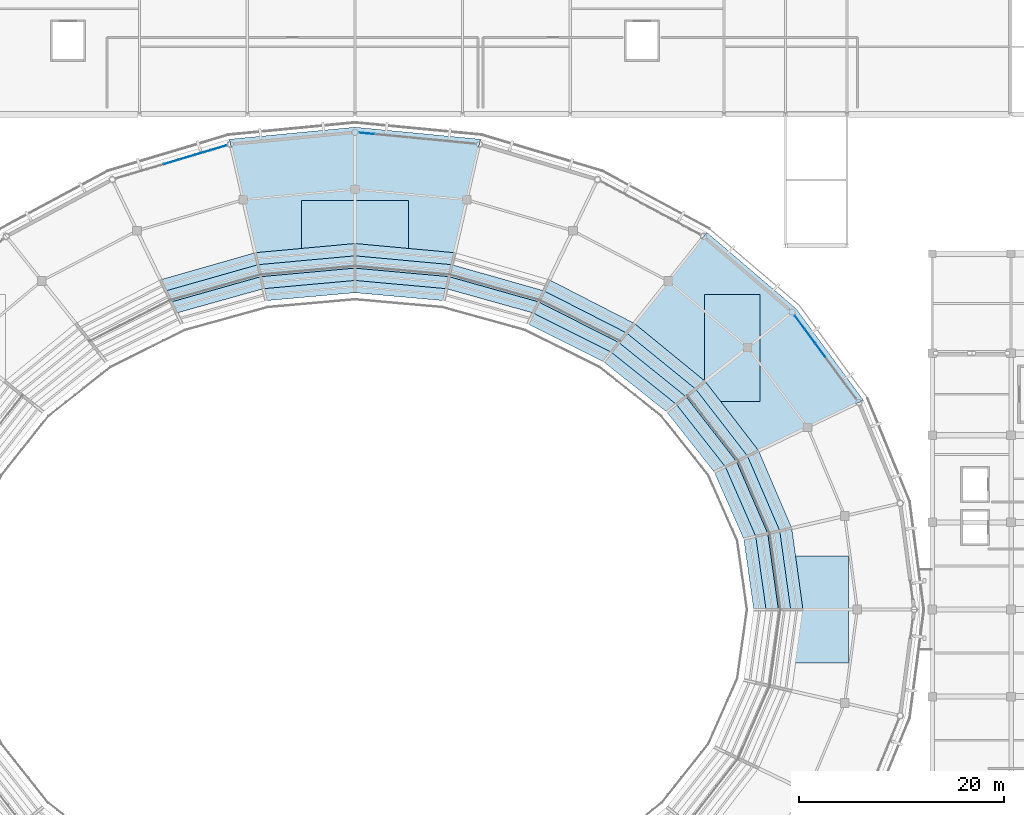
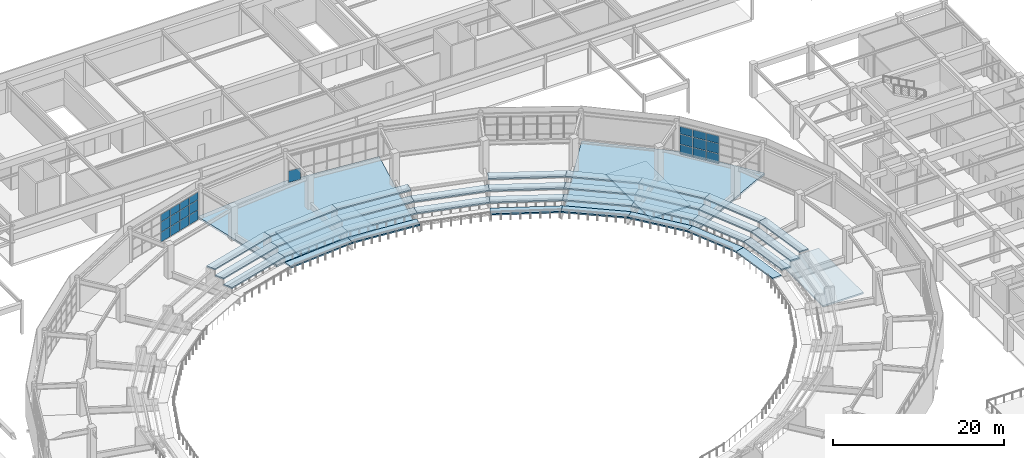
# One storey, part 85 of 122: 38 slabs, 22 plates, 3 elements without a shape of their own.
"""IFC4 building model written with IfcOpenShell, lengths in metres."""

from ifc_helpers import new_model, si_unit, direction, frame, origin, origin_2d, place, context, subcontext, project, spatial, polyline, rectangle, outline, extrude, material, layer, layer_set, type_object, element, aggregate, save


model = new_model("IFC4")

# Units and contexts
model_context = context("Model", 3, precision=1e-05, world=origin(), true_north=direction((0.0, 1.0)))
body_context = subcontext(model_context, "Body", "Model", "MODEL_VIEW")
ifc_project = project(units=[si_unit("LENGTHUNIT", "METRE"), si_unit("AREAUNIT", "SQUARE_METRE"), si_unit("VOLUMEUNIT", "CUBIC_METRE"), si_unit("PLANEANGLEUNIT", "RADIAN"), si_unit("MASSUNIT", "GRAM", prefix="KILO")], contexts=[model_context])

# Site, building, storey
site_placement = place(None, origin())
site = spatial("IfcSite", under=ifc_project, at=site_placement, CompositionType="ELEMENT")
building_placement = place(site_placement, origin())
building = spatial("IfcBuilding", under=site, at=building_placement, Name="Cuetzalor Civic Arena", CompositionType="ELEMENT")
storey_placement = place(building_placement, frame((0.0, 0.0, 16.199951171875)))
storey = spatial("IfcBuildingStorey", under=building, at=storey_placement, Name="L03", CompositionType="ELEMENT", Elevation=16.199951171875)

# Curtain wall, plates
ifc_material_1 = material(Name="Anodised dark bronze aluminium and low-E solar glass", Category="aluminium")
curtain_wall_type_1 = type_object("IfcCurtainWallType", Name="UnitisedCW_10150x4050", PredefinedType="USERDEFINED", material=ifc_material_1)
curtain_wall_1_placement = place(storey_placement, origin())
curtain_wall_1 = element("IfcCurtainWall", 1, at=curtain_wall_1_placement, inside=storey, type_object=curtain_wall_type_1, Name="Drum Triangle Foyer Curtain Wall L03-045", ObjectType="UNITISED CURTAIN WALL", PredefinedType="USERDEFINED")
ifc_material_2 = material(Name="Acoustic laminated solar control glass", Category="glass")
ifc_layer_1 = layer(ifc_material_2, 0.0439453125)
ifc_layer_set_1 = layer_set([ifc_layer_1], Name="Acoustic laminated solar control glass")
plate_type = type_object("IfcPlateType", Name="AcousticTripleGlazedPanel_44", PredefinedType="CURTAIN_PANEL", material=ifc_layer_set_1)
plate_1_placement = place(storey_placement, frame((43.40185546875, 28.000732421875, 0.06494140625), z_axis=(0.0, 0.0, 1.0), x_axis=(0.59292931222, -0.805254513002, 0.0)))
plate_1 = element("IfcPlate", 2, at=plate_1_placement, type_object=plate_type, Name="CW-12 panel 1.1", PredefinedType="CURTAIN_PANEL", context=body_context, shape_type="SweptSolid", body=[
    extrude(rectangle(XDim=1.59326171875, YDim=0.0439453125, at=origin_2d()), origin(), (0.0, 0.0, 1.0), 1.361572265625),
])
plate_2_placement = place(storey_placement, frame((43.40185546875, 28.000732421875, 1.491455078125), z_axis=(0.0, 0.0, 1.0), x_axis=(0.59292931222, -0.805254513002, 0.0)))
plate_2 = element("IfcPlate", 3, at=plate_2_placement, type_object=plate_type, Name="CW-12 panel 1.2", PredefinedType="CURTAIN_PANEL", context=body_context, shape_type="SweptSolid", body=[
    extrude(rectangle(XDim=1.59326171875, YDim=0.0439453125, at=origin_2d()), origin(), (0.0, 0.0, 1.0), 1.39404296875),
])
plate_3_placement = place(storey_placement, frame((43.40185546875, 28.000732421875, 2.950439453125), z_axis=(0.0, 0.0, 1.0), x_axis=(0.59292931222, -0.805254513002, 0.0)))
plate_3 = element("IfcPlate", 4, at=plate_3_placement, type_object=plate_type, Name="CW-12 panel 1.3", PredefinedType="CURTAIN_PANEL", context=body_context, shape_type="SweptSolid", body=[
    extrude(rectangle(XDim=1.59326171875, YDim=0.0439453125, at=origin_2d()), origin(), (0.0, 0.0, 1.0), 1.03759765625),
])
plate_4_placement = place(storey_placement, frame((44.394775390625, 26.652587890625, 0.06494140625), z_axis=(0.0, 0.0, 1.0), x_axis=(0.59292931222, -0.805254513002, 0.0)))
plate_4 = element("IfcPlate", 5, at=plate_4_placement, type_object=plate_type, Name="CW-12 panel 2.1", PredefinedType="CURTAIN_PANEL", context=body_context, shape_type="SweptSolid", body=[
    extrude(rectangle(XDim=1.625732421875, YDim=0.0439453125, at=origin_2d()), origin(), (0.0, 0.0, 1.0), 1.361572265625),
])
plate_5_placement = place(storey_placement, frame((44.394775390625, 26.652587890625, 1.491455078125), z_axis=(0.0, 0.0, 1.0), x_axis=(0.59292931222, -0.805254513002, 0.0)))
plate_5 = element("IfcPlate", 6, at=plate_5_placement, type_object=plate_type, Name="CW-12 panel 2.2", PredefinedType="CURTAIN_PANEL", context=body_context, shape_type="SweptSolid", body=[
    extrude(rectangle(XDim=1.625732421875, YDim=0.0439453125, at=origin_2d()), origin(), (0.0, 0.0, 1.0), 1.39404296875),
])
plate_6_placement = place(storey_placement, frame((44.394775390625, 26.652587890625, 2.950439453125), z_axis=(0.0, 0.0, 1.0), x_axis=(0.59292931222, -0.805254513002, 0.0)))
plate_6 = element("IfcPlate", 7, at=plate_6_placement, type_object=plate_type, Name="CW-12 panel 2.3", PredefinedType="CURTAIN_PANEL", context=body_context, shape_type="SweptSolid", body=[
    extrude(rectangle(XDim=1.625732421875, YDim=0.0439453125, at=origin_2d()), origin(), (0.0, 0.0, 1.0), 1.03759765625),
])
plate_7_placement = place(storey_placement, frame((45.397216796875, 25.291015625, 0.06494140625), z_axis=(0.0, 0.0, 1.0), x_axis=(0.59292931222, -0.805254513002, 0.0)))
plate_7 = element("IfcPlate", 8, at=plate_7_placement, type_object=plate_type, Name="CW-12 panel 3.1", PredefinedType="CURTAIN_PANEL", context=body_context, shape_type="SweptSolid", body=[
    extrude(rectangle(XDim=1.625732421875, YDim=0.0439453125, at=origin_2d()), origin(), (0.0, 0.0, 1.0), 1.361572265625),
])
plate_8_placement = place(storey_placement, frame((45.397216796875, 25.291015625, 1.491455078125), z_axis=(0.0, 0.0, 1.0), x_axis=(0.59292931222, -0.805254513002, 0.0)))
plate_8 = element("IfcPlate", 9, at=plate_8_placement, type_object=plate_type, Name="CW-12 panel 3.2", PredefinedType="CURTAIN_PANEL", context=body_context, shape_type="SweptSolid", body=[
    extrude(rectangle(XDim=1.625732421875, YDim=0.0439453125, at=origin_2d()), origin(), (0.0, 0.0, 1.0), 1.39404296875),
])
plate_9_placement = place(storey_placement, frame((45.397216796875, 25.291015625, 2.950439453125), z_axis=(0.0, 0.0, 1.0), x_axis=(0.59292931222, -0.805254513002, 0.0)))
plate_9 = element("IfcPlate", 10, at=plate_9_placement, type_object=plate_type, Name="CW-12 panel 3.3", PredefinedType="CURTAIN_PANEL", context=body_context, shape_type="SweptSolid", body=[
    extrude(rectangle(XDim=1.625732421875, YDim=0.0439453125, at=origin_2d()), origin(), (0.0, 0.0, 1.0), 1.03759765625),
])
aggregate(curtain_wall_1, [plate_1, plate_2, plate_3, plate_4, plate_5, plate_6, plate_7, plate_8, plate_9])

# Curtain wall, plate
ifc_material_3 = material(Name="Anodised dark bronze aluminium and low-E solar glass", Category="aluminium")
curtain_wall_type_2 = type_object("IfcCurtainWallType", Name="UnitisedCW_11550x3850", PredefinedType="USERDEFINED", material=ifc_material_3)
curtain_wall_2_placement = place(storey_placement, origin())
curtain_wall_2 = element("IfcCurtainWall", 11, at=curtain_wall_2_placement, inside=storey, type_object=curtain_wall_type_2, Name="Drum Triangle Foyer Curtain Wall L03-047", ObjectType="UNITISED CURTAIN WALL", PredefinedType="USERDEFINED")
plate_10_placement = place(storey_placement, frame((1.15185546875, 46.439208984375, 0.065185546875), z_axis=(0.0, 0.0, 1.0), x_axis=(0.995409139996, -0.095711253324, 0.0)))
plate_10 = element("IfcPlate", 12, at=plate_10_placement, type_object=plate_type, Name="CW-14 panel 1.1", PredefinedType="CURTAIN_PANEL", context=body_context, shape_type="SweptSolid", body=[
    extrude(rectangle(XDim=1.5546875, YDim=0.0439453125, at=origin_2d()), origin(), (0.0, 0.0, 1.0), 1.62646484375),
])
aggregate(curtain_wall_2, [plate_10])

# Curtain wall, plates
ifc_material_4 = material(Name="Anodised dark bronze aluminium and low-E solar glass", Category="aluminium")
curtain_wall_type_3 = type_object("IfcCurtainWallType", Name="UnitisedCW_11300x4050", PredefinedType="USERDEFINED", material=ifc_material_4)
curtain_wall_3_placement = place(storey_placement, origin())
curtain_wall_3 = element("IfcCurtainWall", 13, at=curtain_wall_3_placement, inside=storey, type_object=curtain_wall_type_3, Name="Drum Triangle Foyer Curtain Wall L03-048", ObjectType="UNITISED CURTAIN WALL", PredefinedType="USERDEFINED")
plate_11_placement = place(storey_placement, frame((-17.903564453125, 43.66162109375, 0.06494140625), z_axis=(0.0, 0.0, 1.0), x_axis=(0.958193690548, 0.286120344251, 0.0)))
plate_11 = element("IfcPlate", 14, at=plate_11_placement, type_object=plate_type, Name="CW-15 panel 4.1", PredefinedType="CURTAIN_PANEL", context=body_context, shape_type="SweptSolid", body=[
    extrude(rectangle(XDim=1.55078125, YDim=0.0439453125, at=origin_2d()), origin(), (0.0, 0.0, 1.0), 1.361572265625),
])
plate_12_placement = place(storey_placement, frame((-17.903564453125, 43.66162109375, 1.491455078125), z_axis=(0.0, 0.0, 1.0), x_axis=(0.958193690548, 0.286120344251, 0.0)))
plate_12 = element("IfcPlate", 15, at=plate_12_placement, type_object=plate_type, Name="CW-15 panel 4.2", PredefinedType="CURTAIN_PANEL", context=body_context, shape_type="SweptSolid", body=[
    extrude(rectangle(XDim=1.55078125, YDim=0.0439453125, at=origin_2d()), origin(), (0.0, 0.0, 1.0), 1.39404296875),
])
plate_13_placement = place(storey_placement, frame((-17.903564453125, 43.66162109375, 2.950439453125), z_axis=(0.0, 0.0, 1.0), x_axis=(0.958193690548, 0.286120344251, 0.0)))
plate_13 = element("IfcPlate", 16, at=plate_13_placement, type_object=plate_type, Name="CW-15 panel 4.3", PredefinedType="CURTAIN_PANEL", context=body_context, shape_type="SweptSolid", body=[
    extrude(rectangle(XDim=1.55078125, YDim=0.0439453125, at=origin_2d()), origin(), (0.0, 0.0, 1.0), 1.03759765625),
])
plate_14_placement = place(storey_placement, frame((-16.355224609375, 44.123779296875, 0.06494140625), z_axis=(0.0, 0.0, 1.0), x_axis=(0.958193690548, 0.286120344251, 0.0)))
plate_14 = element("IfcPlate", 17, at=plate_14_placement, type_object=plate_type, Name="CW-15 panel 5.1", PredefinedType="CURTAIN_PANEL", context=body_context, shape_type="SweptSolid", body=[
    extrude(rectangle(XDim=1.55078125, YDim=0.0439453125, at=origin_2d()), origin(), (0.0, 0.0, 1.0), 1.361572265625),
])
plate_15_placement = place(storey_placement, frame((-16.355224609375, 44.123779296875, 1.491455078125), z_axis=(0.0, 0.0, 1.0), x_axis=(0.958193690548, 0.286120344251, 0.0)))
plate_15 = element("IfcPlate", 18, at=plate_15_placement, type_object=plate_type, Name="CW-15 panel 5.2", PredefinedType="CURTAIN_PANEL", context=body_context, shape_type="SweptSolid", body=[
    extrude(rectangle(XDim=1.55078125, YDim=0.0439453125, at=origin_2d()), origin(), (0.0, 0.0, 1.0), 1.39404296875),
])
plate_16_placement = place(storey_placement, frame((-16.355224609375, 44.123779296875, 2.950439453125), z_axis=(0.0, 0.0, 1.0), x_axis=(0.958193690548, 0.286120344251, 0.0)))
plate_16 = element("IfcPlate", 19, at=plate_16_placement, type_object=plate_type, Name="CW-15 panel 5.3", PredefinedType="CURTAIN_PANEL", context=body_context, shape_type="SweptSolid", body=[
    extrude(rectangle(XDim=1.55078125, YDim=0.0439453125, at=origin_2d()), origin(), (0.0, 0.0, 1.0), 1.03759765625),
])
plate_17_placement = place(storey_placement, frame((-14.80712890625, 44.586181640625, 0.06494140625), z_axis=(0.0, 0.0, 1.0), x_axis=(0.958193690548, 0.286120344251, 0.0)))
plate_17 = element("IfcPlate", 20, at=plate_17_placement, type_object=plate_type, Name="CW-15 panel 6.1", PredefinedType="CURTAIN_PANEL", context=body_context, shape_type="SweptSolid", body=[
    extrude(rectangle(XDim=1.55078125, YDim=0.0439453125, at=origin_2d()), origin(), (0.0, 0.0, 1.0), 1.361572265625),
])
plate_18_placement = place(storey_placement, frame((-14.80712890625, 44.586181640625, 1.491455078125), z_axis=(0.0, 0.0, 1.0), x_axis=(0.958193690548, 0.286120344251, 0.0)))
plate_18 = element("IfcPlate", 21, at=plate_18_placement, type_object=plate_type, Name="CW-15 panel 6.2", PredefinedType="CURTAIN_PANEL", context=body_context, shape_type="SweptSolid", body=[
    extrude(rectangle(XDim=1.55078125, YDim=0.0439453125, at=origin_2d()), origin(), (0.0, 0.0, 1.0), 1.39404296875),
])
plate_19_placement = place(storey_placement, frame((-14.80712890625, 44.586181640625, 2.950439453125), z_axis=(0.0, 0.0, 1.0), x_axis=(0.958193690548, 0.286120344251, 0.0)))
plate_19 = element("IfcPlate", 22, at=plate_19_placement, type_object=plate_type, Name="CW-15 panel 6.3", PredefinedType="CURTAIN_PANEL", context=body_context, shape_type="SweptSolid", body=[
    extrude(rectangle(XDim=1.55078125, YDim=0.0439453125, at=origin_2d()), origin(), (0.0, 0.0, 1.0), 1.03759765625),
])
plate_20_placement = place(storey_placement, frame((-13.274658203125, 45.043701171875, 0.06494140625), z_axis=(0.0, 0.0, 1.0), x_axis=(0.958193690548, 0.286120344251, 0.0)))
plate_20 = element("IfcPlate", 23, at=plate_20_placement, type_object=plate_type, Name="CW-15 panel 7.1", PredefinedType="CURTAIN_PANEL", context=body_context, shape_type="SweptSolid", body=[
    extrude(rectangle(XDim=1.518310546875, YDim=0.0439453125, at=origin_2d()), origin(), (0.0, 0.0, 1.0), 1.361572265625),
])
plate_21_placement = place(storey_placement, frame((-13.274658203125, 45.043701171875, 1.491455078125), z_axis=(0.0, 0.0, 1.0), x_axis=(0.958193690548, 0.286120344251, 0.0)))
plate_21 = element("IfcPlate", 24, at=plate_21_placement, type_object=plate_type, Name="CW-15 panel 7.2", PredefinedType="CURTAIN_PANEL", context=body_context, shape_type="SweptSolid", body=[
    extrude(rectangle(XDim=1.518310546875, YDim=0.0439453125, at=origin_2d()), origin(), (0.0, 0.0, 1.0), 1.39404296875),
])
plate_22_placement = place(storey_placement, frame((-13.274658203125, 45.043701171875, 2.950439453125), z_axis=(0.0, 0.0, 1.0), x_axis=(0.958193690548, 0.286120344251, 0.0)))
plate_22 = element("IfcPlate", 25, at=plate_22_placement, type_object=plate_type, Name="CW-15 panel 7.3", PredefinedType="CURTAIN_PANEL", context=body_context, shape_type="SweptSolid", body=[
    extrude(rectangle(XDim=1.518310546875, YDim=0.0439453125, at=origin_2d()), origin(), (0.0, 0.0, 1.0), 1.03759765625),
])
aggregate(curtain_wall_3, [plate_11, plate_12, plate_13, plate_14, plate_15, plate_16, plate_17, plate_18, plate_19, plate_20, plate_21, plate_22])

# Slabs
ifc_material_5 = material(Name="Concrete C40/50", Category="concrete")
ifc_layer_2 = layer(ifc_material_5, 0.219970703125)
ifc_layer_set_2 = layer_set([ifc_layer_2], Name="Concrete C40/50")
slab_type_1 = type_object("IfcSlabType", Name="LiftShaftRoofCapSlab_220", PredefinedType="ROOF", material=ifc_layer_set_2)
slab_1_placement = place(storey_placement, frame((0.0, 0.0, -1.199951171875)))
element("IfcSlab", 26, at=slab_1_placement, inside=storey, type_object=slab_type_1, Name="Stair Core Enclosure Cap Slab ST-01", PredefinedType="ROOF", context=body_context, shape_type="SweptSolid", body=[
    extrude(outline(polyline([(42.679931640625, -5.219970703125), (48.1201171875, -5.219970703125), (48.1201171875, 5.219970703125), (42.679931640625, 5.219970703125), (42.679931640625, -5.219970703125)])), origin(), (0.0, 0.0, 1.0), 0.219970703125),
])
slab_2_placement = place(storey_placement, frame((0.0, 0.0, -1.199951171875)))
element("IfcSlab", 27, at=slab_2_placement, inside=storey, type_object=slab_type_1, Name="Stair Core Enclosure Cap Slab ST-02", PredefinedType="ROOF", context=body_context, shape_type="SweptSolid", body=[
    extrude(outline(polyline([(34.080078125, 20.280029296875), (39.52001953125, 20.280029296875), (39.52001953125, 30.719970703125), (34.080078125, 30.719970703125), (34.080078125, 20.280029296875)])), origin(), (0.0, 0.0, 1.0), 0.219970703125),
])
slab_3_placement = place(storey_placement, frame((0.0, 0.0, -1.199951171875)))
element("IfcSlab", 28, at=slab_3_placement, inside=storey, type_object=slab_type_1, Name="Stair Core Enclosure Cap Slab ST-03", PredefinedType="ROOF", context=body_context, shape_type="SweptSolid", body=[
    extrude(outline(polyline([(-5.219970703125, 34.47998046875), (5.219970703125, 34.47998046875), (5.219970703125, 39.919921875), (-5.219970703125, 39.919921875), (-5.219970703125, 34.47998046875)])), origin(), (0.0, 0.0, 1.0), 0.219970703125),
])
ifc_material_6 = material(Name="Concrete C35/45", Category="concrete")
ifc_layer_3 = layer(ifc_material_6, 0.280029296875)
ifc_layer_set_3 = layer_set([ifc_layer_3], Name="Concrete C35/45")
slab_type_2 = type_object("IfcSlabType", Name="SuspendedFloorSlab_280", PredefinedType="FLOOR", material=ifc_layer_set_3)
slab_4_placement = place(storey_placement, frame((0.0, 0.0, -0.280029296875)))
element("IfcSlab", 29, at=slab_4_placement, inside=storey, type_object=slab_type_2, Name="Arena Concourse Sector Slab L03-02", PredefinedType="FLOOR", context=body_context, shape_type="SweptSolid", body=[
    extrude(outline(polyline([(37.39013671875, 14.53515625), (32.446044921875, 20.886962890625), (25.874755859375, 26.19140625), (34.322998046875, 36.78515625), (43.039794921875, 29.335205078125), (49.598388671875, 20.414306640625), (37.39013671875, 14.53515625)])), origin(), (0.0, 0.0, 1.0), 0.280029296875),
])
slab_5_placement = place(storey_placement, frame((0.0, 0.0, -0.280029296875)))
element("IfcSlab", 30, at=slab_5_placement, inside=storey, type_object=slab_type_2, Name="Arena Concourse Sector Slab L03-04", PredefinedType="FLOOR", context=body_context, shape_type="SweptSolid", body=[
    extrude(outline(polyline([(9.234619140625, 32.66015625), (0.0, 33.5), (-9.234619140625, 32.66015625), (-12.249755859375, 45.870361328125), (0.0, 47.050048828125), (12.249755859375, 45.870361328125), (9.234619140625, 32.66015625)])), origin(), (0.0, 0.0, 1.0), 0.280029296875),
])
ifc_material_7 = material(Name="Precast concrete C45/55", Category="concrete")
ifc_layer_4 = layer(ifc_material_7, 0.195068359375)
ifc_layer_set_4 = layer_set([ifc_layer_4], Name="Precast concrete C45/55")
slab_type_3 = type_object("IfcSlabType", Name="UpperBowlSeatingTier_160", PredefinedType="USERDEFINED", material=ifc_layer_set_4)
slab_6_placement = place(storey_placement, frame((0.0, 0.0, 0.9111328125)))
element("IfcSlab", 31, at=slab_6_placement, inside=storey, type_object=slab_type_3, Name="Stand Upper Tier Bay 01 Row 1", ObjectType="SEATING TIER", PredefinedType="USERDEFINED", context=body_context, shape_type="SweptSolid", body=[
    extrude(outline(polyline([(38.89990234375, 0.0), (37.9248046875, 6.8759765625), (39.094482421875, 7.142822265625), (40.10009765625, 0.0), (38.89990234375, 0.0)])), origin(), (0.0, 0.0, 1.0), 0.19482421875),
])
slab_7_placement = place(storey_placement, frame((0.0, 0.0, 1.755126953125)))
element("IfcSlab", 32, at=slab_7_placement, inside=storey, type_object=slab_type_3, Name="Stand Upper Tier Bay 01 Row 2", ObjectType="SEATING TIER", PredefinedType="USERDEFINED", context=body_context, shape_type="SweptSolid", body=[
    extrude(outline(polyline([(40.10009765625, 0.0), (39.094482421875, 7.142822265625), (40.264404296875, 7.409912109375), (41.300048828125, 0.0), (40.10009765625, 0.0)])), origin(), (0.0, 0.0, 1.0), 0.19482421875),
])
slab_8_placement = place(storey_placement, frame((0.0, 0.0, 2.60498046875)))
element("IfcSlab", 33, at=slab_8_placement, inside=storey, type_object=slab_type_3, Name="Stand Upper Tier Bay 01 Row 3", ObjectType="SEATING TIER", PredefinedType="USERDEFINED", context=body_context, shape_type="SweptSolid", body=[
    extrude(outline(polyline([(41.300048828125, 0.0), (40.264404296875, 7.409912109375), (41.434326171875, 7.677001953125), (42.5, 0.0), (41.300048828125, 0.0)])), origin(), (0.0, 0.0, 1.0), 0.195068359375),
])
slab_9_placement = place(storey_placement, frame((0.0, 0.0, 3.455078125)))
element("IfcSlab", 34, at=slab_9_placement, inside=storey, type_object=slab_type_3, Name="Stand Upper Tier Bay 01 Row 4", ObjectType="SEATING TIER", PredefinedType="USERDEFINED", context=body_context, shape_type="SweptSolid", body=[
    extrude(outline(polyline([(42.5, 0.0), (41.434326171875, 7.677001953125), (42.604248046875, 7.944091796875), (43.699951171875, 0.0), (42.5, 0.0)])), origin(), (0.0, 0.0, 1.0), 0.195068359375),
])
slab_10_placement = place(storey_placement, frame((0.0, 0.0, 0.9111328125)))
element("IfcSlab", 35, at=slab_10_placement, inside=storey, type_object=slab_type_3, Name="Stand Upper Tier Bay 02 Row 1", ObjectType="SEATING TIER", PredefinedType="USERDEFINED", context=body_context, shape_type="SweptSolid", body=[
    extrude(outline(polyline([(37.9248046875, 6.8759765625), (35.047607421875, 13.406982421875), (36.12890625, 13.927734375), (39.094482421875, 7.142822265625), (37.9248046875, 6.8759765625)])), origin(), (0.0, 0.0, 1.0), 0.19482421875),
])
slab_11_placement = place(storey_placement, frame((0.0, 0.0, 1.755126953125)))
element("IfcSlab", 36, at=slab_11_placement, inside=storey, type_object=slab_type_3, Name="Stand Upper Tier Bay 02 Row 2", ObjectType="SEATING TIER", PredefinedType="USERDEFINED", context=body_context, shape_type="SweptSolid", body=[
    extrude(outline(polyline([(39.094482421875, 7.142822265625), (36.12890625, 13.927734375), (37.2099609375, 14.4482421875), (40.264404296875, 7.409912109375), (39.094482421875, 7.142822265625)])), origin(), (0.0, 0.0, 1.0), 0.19482421875),
])
slab_12_placement = place(storey_placement, frame((0.0, 0.0, 2.60498046875)))
element("IfcSlab", 37, at=slab_12_placement, inside=storey, type_object=slab_type_3, Name="Stand Upper Tier Bay 02 Row 3", ObjectType="SEATING TIER", PredefinedType="USERDEFINED", context=body_context, shape_type="SweptSolid", body=[
    extrude(outline(polyline([(40.264404296875, 7.409912109375), (37.2099609375, 14.4482421875), (38.291259765625, 14.968994140625), (41.434326171875, 7.677001953125), (40.264404296875, 7.409912109375)])), origin(), (0.0, 0.0, 1.0), 0.195068359375),
])
slab_13_placement = place(storey_placement, frame((0.0, 0.0, 3.455078125)))
element("IfcSlab", 38, at=slab_13_placement, inside=storey, type_object=slab_type_3, Name="Stand Upper Tier Bay 02 Row 4", ObjectType="SEATING TIER", PredefinedType="USERDEFINED", context=body_context, shape_type="SweptSolid", body=[
    extrude(outline(polyline([(41.434326171875, 7.677001953125), (38.291259765625, 14.968994140625), (39.372314453125, 15.489501953125), (42.604248046875, 7.944091796875), (41.434326171875, 7.677001953125)])), origin(), (0.0, 0.0, 1.0), 0.195068359375),
])
slab_14_placement = place(storey_placement, frame((0.0, 0.0, 0.9111328125)))
element("IfcSlab", 39, at=slab_14_placement, inside=storey, type_object=slab_type_3, Name="Stand Upper Tier Bay 03 Row 1", ObjectType="SEATING TIER", PredefinedType="USERDEFINED", context=body_context, shape_type="SweptSolid", body=[
    extrude(outline(polyline([(35.047607421875, 13.406982421875), (30.4130859375, 19.265869140625), (31.351318359375, 20.013916015625), (36.12890625, 13.927734375), (35.047607421875, 13.406982421875)])), origin(), (0.0, 0.0, 1.0), 0.19482421875),
])
slab_15_placement = place(storey_placement, frame((0.0, 0.0, 1.755126953125)))
element("IfcSlab", 40, at=slab_15_placement, inside=storey, type_object=slab_type_3, Name="Stand Upper Tier Bay 03 Row 2", ObjectType="SEATING TIER", PredefinedType="USERDEFINED", context=body_context, shape_type="SweptSolid", body=[
    extrude(outline(polyline([(36.12890625, 13.927734375), (31.351318359375, 20.013916015625), (32.28955078125, 20.76220703125), (37.2099609375, 14.4482421875), (36.12890625, 13.927734375)])), origin(), (0.0, 0.0, 1.0), 0.19482421875),
])
slab_16_placement = place(storey_placement, frame((0.0, 0.0, 2.60498046875)))
element("IfcSlab", 41, at=slab_16_placement, inside=storey, type_object=slab_type_3, Name="Stand Upper Tier Bay 03 Row 3", ObjectType="SEATING TIER", PredefinedType="USERDEFINED", context=body_context, shape_type="SweptSolid", body=[
    extrude(outline(polyline([(37.2099609375, 14.4482421875), (32.28955078125, 20.76220703125), (33.227783203125, 21.510498046875), (38.291259765625, 14.968994140625), (37.2099609375, 14.4482421875)])), origin(), (0.0, 0.0, 1.0), 0.195068359375),
])
slab_17_placement = place(storey_placement, frame((0.0, 0.0, 3.455078125)))
element("IfcSlab", 42, at=slab_17_placement, inside=storey, type_object=slab_type_3, Name="Stand Upper Tier Bay 03 Row 4", ObjectType="SEATING TIER", PredefinedType="USERDEFINED", context=body_context, shape_type="SweptSolid", body=[
    extrude(outline(polyline([(38.291259765625, 14.968994140625), (33.227783203125, 21.510498046875), (34.166015625, 22.258544921875), (39.372314453125, 15.489501953125), (38.291259765625, 14.968994140625)])), origin(), (0.0, 0.0, 1.0), 0.195068359375),
])
slab_18_placement = place(storey_placement, frame((0.0, 0.0, 0.9111328125)))
element("IfcSlab", 43, at=slab_18_placement, inside=storey, type_object=slab_type_3, Name="Stand Upper Tier Bay 04 Row 1", ObjectType="SEATING TIER", PredefinedType="USERDEFINED", context=body_context, shape_type="SweptSolid", body=[
    extrude(outline(polyline([(30.4130859375, 19.265869140625), (24.25390625, 24.15869140625), (25.001953125, 25.0966796875), (31.351318359375, 20.013916015625), (30.4130859375, 19.265869140625)])), origin(), (0.0, 0.0, 1.0), 0.19482421875),
])
slab_19_placement = place(storey_placement, frame((0.0, 0.0, 1.755126953125)))
element("IfcSlab", 44, at=slab_19_placement, inside=storey, type_object=slab_type_3, Name="Stand Upper Tier Bay 04 Row 2", ObjectType="SEATING TIER", PredefinedType="USERDEFINED", context=body_context, shape_type="SweptSolid", body=[
    extrude(outline(polyline([(31.351318359375, 20.013916015625), (25.001953125, 25.0966796875), (25.75, 26.034912109375), (32.28955078125, 20.76220703125), (31.351318359375, 20.013916015625)])), origin(), (0.0, 0.0, 1.0), 0.19482421875),
])
slab_20_placement = place(storey_placement, frame((0.0, 0.0, 2.60498046875)))
element("IfcSlab", 45, at=slab_20_placement, inside=storey, type_object=slab_type_3, Name="Stand Upper Tier Bay 04 Row 3", ObjectType="SEATING TIER", PredefinedType="USERDEFINED", context=body_context, shape_type="SweptSolid", body=[
    extrude(outline(polyline([(32.28955078125, 20.76220703125), (25.75, 26.034912109375), (26.498291015625, 26.97314453125), (33.227783203125, 21.510498046875), (32.28955078125, 20.76220703125)])), origin(), (0.0, 0.0, 1.0), 0.195068359375),
])
slab_21_placement = place(storey_placement, frame((0.0, 0.0, 3.455078125)))
element("IfcSlab", 46, at=slab_21_placement, inside=storey, type_object=slab_type_3, Name="Stand Upper Tier Bay 04 Row 4", ObjectType="SEATING TIER", PredefinedType="USERDEFINED", context=body_context, shape_type="SweptSolid", body=[
    extrude(outline(polyline([(33.227783203125, 21.510498046875), (26.498291015625, 26.97314453125), (27.24658203125, 27.911376953125), (34.166015625, 22.258544921875), (33.227783203125, 21.510498046875)])), origin(), (0.0, 0.0, 1.0), 0.195068359375),
])
slab_22_placement = place(storey_placement, frame((0.0, 0.0, 0.9111328125)))
element("IfcSlab", 47, at=slab_22_placement, inside=storey, type_object=slab_type_3, Name="Stand Upper Tier Bay 05 Row 1", ObjectType="SEATING TIER", PredefinedType="USERDEFINED", context=body_context, shape_type="SweptSolid", body=[
    extrude(outline(polyline([(24.25390625, 24.15869140625), (16.878173828125, 27.83984375), (17.398681640625, 28.921142578125), (25.001953125, 25.0966796875), (24.25390625, 24.15869140625)])), origin(), (0.0, 0.0, 1.0), 0.19482421875),
])
slab_23_placement = place(storey_placement, frame((0.0, 0.0, 1.755126953125)))
element("IfcSlab", 48, at=slab_23_placement, inside=storey, type_object=slab_type_3, Name="Stand Upper Tier Bay 05 Row 2", ObjectType="SEATING TIER", PredefinedType="USERDEFINED", context=body_context, shape_type="SweptSolid", body=[
    extrude(outline(polyline([(25.001953125, 25.0966796875), (17.398681640625, 28.921142578125), (17.91943359375, 30.002197265625), (25.75, 26.034912109375), (25.001953125, 25.0966796875)])), origin(), (0.0, 0.0, 1.0), 0.19482421875),
])
slab_24_placement = place(storey_placement, frame((0.0, 0.0, 2.60498046875)))
element("IfcSlab", 49, at=slab_24_placement, inside=storey, type_object=slab_type_3, Name="Stand Upper Tier Bay 05 Row 3", ObjectType="SEATING TIER", PredefinedType="USERDEFINED", context=body_context, shape_type="SweptSolid", body=[
    extrude(outline(polyline([(25.75, 26.034912109375), (17.91943359375, 30.002197265625), (18.440185546875, 31.08349609375), (26.498291015625, 26.97314453125), (25.75, 26.034912109375)])), origin(), (0.0, 0.0, 1.0), 0.195068359375),
])
slab_25_placement = place(storey_placement, frame((0.0, 0.0, 3.455078125)))
element("IfcSlab", 50, at=slab_25_placement, inside=storey, type_object=slab_type_3, Name="Stand Upper Tier Bay 05 Row 4", ObjectType="SEATING TIER", PredefinedType="USERDEFINED", context=body_context, shape_type="SweptSolid", body=[
    extrude(outline(polyline([(26.498291015625, 26.97314453125), (18.440185546875, 31.08349609375), (18.960693359375, 32.16455078125), (27.24658203125, 27.911376953125), (26.498291015625, 26.97314453125)])), origin(), (0.0, 0.0, 1.0), 0.195068359375),
])
slab_26_placement = place(storey_placement, frame((0.0, 0.0, 1.755126953125)))
element("IfcSlab", 51, at=slab_26_placement, inside=storey, type_object=slab_type_3, Name="Stand Upper Tier Bay 06 Row 2", ObjectType="SEATING TIER", PredefinedType="USERDEFINED", context=body_context, shape_type="SweptSolid", body=[
    extrude(outline(polyline([(17.398681640625, 28.921142578125), (8.923095703125, 31.295166015625), (9.190185546875, 32.465087890625), (17.91943359375, 30.002197265625), (17.398681640625, 28.921142578125)])), origin(), (0.0, 0.0, 1.0), 0.19482421875),
])
slab_27_placement = place(storey_placement, frame((0.0, 0.0, 2.60498046875)))
element("IfcSlab", 52, at=slab_27_placement, inside=storey, type_object=slab_type_3, Name="Stand Upper Tier Bay 06 Row 3", ObjectType="SEATING TIER", PredefinedType="USERDEFINED", context=body_context, shape_type="SweptSolid", body=[
    extrude(outline(polyline([(17.91943359375, 30.002197265625), (9.190185546875, 32.465087890625), (9.45703125, 33.635009765625), (18.440185546875, 31.08349609375), (17.91943359375, 30.002197265625)])), origin(), (0.0, 0.0, 1.0), 0.195068359375),
])
slab_28_placement = place(storey_placement, frame((0.0, 0.0, 0.9111328125)))
element("IfcSlab", 53, at=slab_28_placement, inside=storey, type_object=slab_type_3, Name="Stand Upper Tier Bay 07 Row 1", ObjectType="SEATING TIER", PredefinedType="USERDEFINED", context=body_context, shape_type="SweptSolid", body=[
    extrude(outline(polyline([(8.656005859375, 30.125244140625), (0.0, 30.89990234375), (0.0, 32.10009765625), (8.923095703125, 31.295166015625), (8.656005859375, 30.125244140625)])), origin(), (0.0, 0.0, 1.0), 0.19482421875),
])
slab_29_placement = place(storey_placement, frame((0.0, 0.0, 1.755126953125)))
element("IfcSlab", 54, at=slab_29_placement, inside=storey, type_object=slab_type_3, Name="Stand Upper Tier Bay 07 Row 2", ObjectType="SEATING TIER", PredefinedType="USERDEFINED", context=body_context, shape_type="SweptSolid", body=[
    extrude(outline(polyline([(8.923095703125, 31.295166015625), (0.0, 32.10009765625), (0.0, 33.300048828125), (9.190185546875, 32.465087890625), (8.923095703125, 31.295166015625)])), origin(), (0.0, 0.0, 1.0), 0.19482421875),
])
slab_30_placement = place(storey_placement, frame((0.0, 0.0, 2.60498046875)))
element("IfcSlab", 55, at=slab_30_placement, inside=storey, type_object=slab_type_3, Name="Stand Upper Tier Bay 07 Row 3", ObjectType="SEATING TIER", PredefinedType="USERDEFINED", context=body_context, shape_type="SweptSolid", body=[
    extrude(outline(polyline([(9.190185546875, 32.465087890625), (0.0, 33.300048828125), (0.0, 34.5), (9.45703125, 33.635009765625), (9.190185546875, 32.465087890625)])), origin(), (0.0, 0.0, 1.0), 0.195068359375),
])
slab_31_placement = place(storey_placement, frame((0.0, 0.0, 3.455078125)))
element("IfcSlab", 56, at=slab_31_placement, inside=storey, type_object=slab_type_3, Name="Stand Upper Tier Bay 07 Row 4", ObjectType="SEATING TIER", PredefinedType="USERDEFINED", context=body_context, shape_type="SweptSolid", body=[
    extrude(outline(polyline([(9.45703125, 33.635009765625), (0.0, 34.5), (0.0, 35.699951171875), (9.72412109375, 34.804931640625), (9.45703125, 33.635009765625)])), origin(), (0.0, 0.0, 1.0), 0.195068359375),
])
slab_32_placement = place(storey_placement, frame((0.0, 0.0, 0.9111328125)))
element("IfcSlab", 57, at=slab_32_placement, inside=storey, type_object=slab_type_3, Name="Stand Upper Tier Bay 08 Row 1", ObjectType="SEATING TIER", PredefinedType="USERDEFINED", context=body_context, shape_type="SweptSolid", body=[
    extrude(outline(polyline([(0.0, 30.89990234375), (-8.656005859375, 30.125244140625), (-8.923095703125, 31.295166015625), (0.0, 32.10009765625), (0.0, 30.89990234375)])), origin(), (0.0, 0.0, 1.0), 0.19482421875),
])
slab_33_placement = place(storey_placement, frame((0.0, 0.0, 1.755126953125)))
element("IfcSlab", 58, at=slab_33_placement, inside=storey, type_object=slab_type_3, Name="Stand Upper Tier Bay 08 Row 2", ObjectType="SEATING TIER", PredefinedType="USERDEFINED", context=body_context, shape_type="SweptSolid", body=[
    extrude(outline(polyline([(0.0, 32.10009765625), (-8.923095703125, 31.295166015625), (-9.190185546875, 32.465087890625), (0.0, 33.300048828125), (0.0, 32.10009765625)])), origin(), (0.0, 0.0, 1.0), 0.19482421875),
])
slab_34_placement = place(storey_placement, frame((0.0, 0.0, 2.60498046875)))
element("IfcSlab", 59, at=slab_34_placement, inside=storey, type_object=slab_type_3, Name="Stand Upper Tier Bay 08 Row 3", ObjectType="SEATING TIER", PredefinedType="USERDEFINED", context=body_context, shape_type="SweptSolid", body=[
    extrude(outline(polyline([(0.0, 33.300048828125), (-9.190185546875, 32.465087890625), (-9.45703125, 33.635009765625), (0.0, 34.5), (0.0, 33.300048828125)])), origin(), (0.0, 0.0, 1.0), 0.195068359375),
])
slab_35_placement = place(storey_placement, frame((0.0, 0.0, 3.455078125)))
element("IfcSlab", 60, at=slab_35_placement, inside=storey, type_object=slab_type_3, Name="Stand Upper Tier Bay 08 Row 4", ObjectType="SEATING TIER", PredefinedType="USERDEFINED", context=body_context, shape_type="SweptSolid", body=[
    extrude(outline(polyline([(0.0, 34.5), (-9.45703125, 33.635009765625), (-9.72412109375, 34.804931640625), (0.0, 35.699951171875), (0.0, 34.5)])), origin(), (0.0, 0.0, 1.0), 0.195068359375),
])
slab_36_placement = place(storey_placement, frame((0.0, 0.0, 1.755126953125)))
element("IfcSlab", 61, at=slab_36_placement, inside=storey, type_object=slab_type_3, Name="Stand Upper Tier Bay 09 Row 2", ObjectType="SEATING TIER", PredefinedType="USERDEFINED", context=body_context, shape_type="SweptSolid", body=[
    extrude(outline(polyline([(-8.923095703125, 31.295166015625), (-17.398681640625, 28.921142578125), (-17.91943359375, 30.002197265625), (-9.190185546875, 32.465087890625), (-8.923095703125, 31.295166015625)])), origin(), (0.0, 0.0, 1.0), 0.19482421875),
])
slab_37_placement = place(storey_placement, frame((0.0, 0.0, 2.60498046875)))
element("IfcSlab", 62, at=slab_37_placement, inside=storey, type_object=slab_type_3, Name="Stand Upper Tier Bay 09 Row 3", ObjectType="SEATING TIER", PredefinedType="USERDEFINED", context=body_context, shape_type="SweptSolid", body=[
    extrude(outline(polyline([(-9.190185546875, 32.465087890625), (-17.91943359375, 30.002197265625), (-18.440185546875, 31.08349609375), (-9.45703125, 33.635009765625), (-9.190185546875, 32.465087890625)])), origin(), (0.0, 0.0, 1.0), 0.195068359375),
])
slab_38_placement = place(storey_placement, frame((0.0, 0.0, 3.455078125)))
element("IfcSlab", 63, at=slab_38_placement, inside=storey, type_object=slab_type_3, Name="Stand Upper Tier Bay 09 Row 4", ObjectType="SEATING TIER", PredefinedType="USERDEFINED", context=body_context, shape_type="SweptSolid", body=[
    extrude(outline(polyline([(-9.45703125, 33.635009765625), (-18.440185546875, 31.08349609375), (-18.960693359375, 32.16455078125), (-9.72412109375, 34.804931640625), (-9.45703125, 33.635009765625)])), origin(), (0.0, 0.0, 1.0), 0.195068359375),
])

save(model, "model.ifc")
